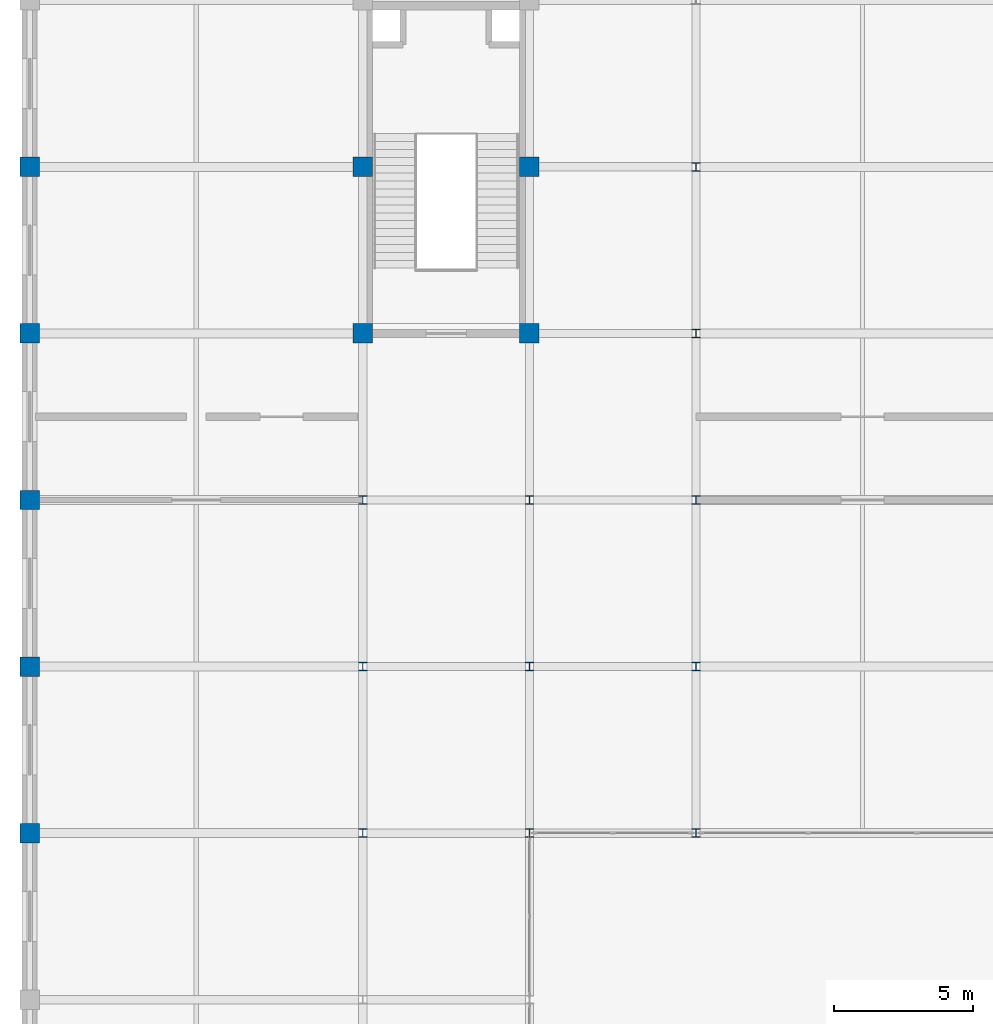
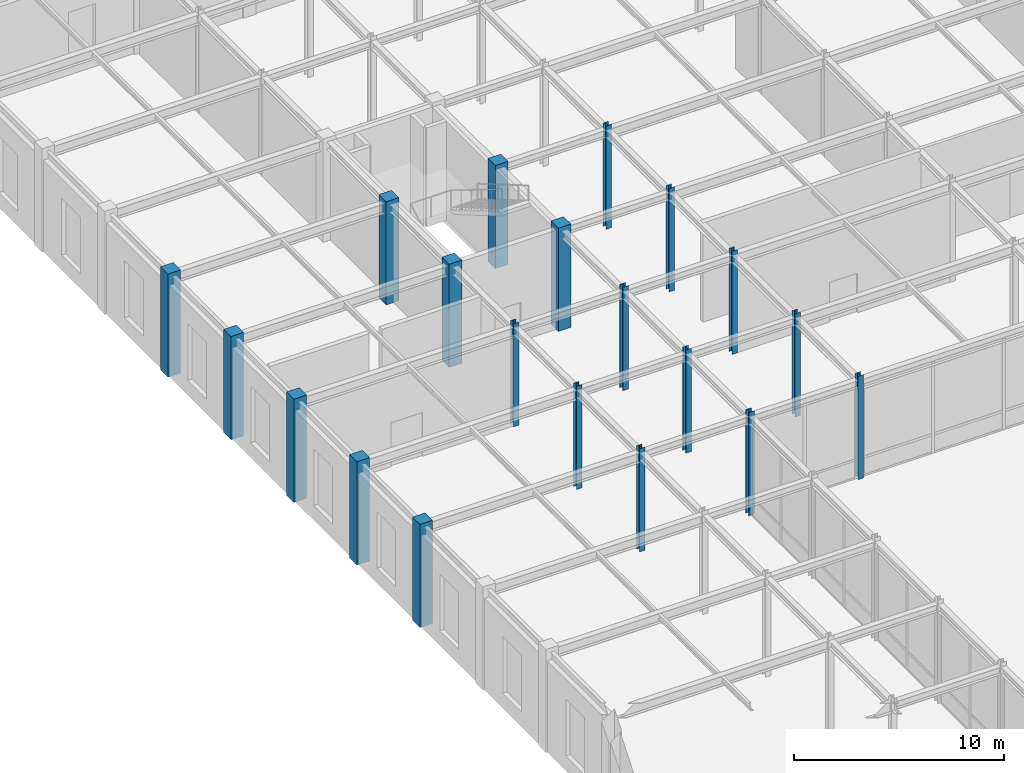
# One storey, part 13 of 108: 20 columns.
"""IFC4 building model written with IfcOpenShell, lengths in metres."""

from ifc_helpers import new_model, si_unit, direction, frame, origin, origin_2d, place, context, subcontext, project, spatial, rectangle, i_section, extrude, material, material_profile, profile_set, type_object, element, save


model = new_model("IFC4")

# Units and contexts
model_context = context("Model", 3, precision=1e-05, world=origin(), true_north=direction((0.0, 1.0)))
body_context = subcontext(model_context, "Body", "Model", "MODEL_VIEW")
ifc_project = project(units=[si_unit("LENGTHUNIT", "METRE"), si_unit("AREAUNIT", "SQUARE_METRE"), si_unit("VOLUMEUNIT", "CUBIC_METRE"), si_unit("PLANEANGLEUNIT", "RADIAN"), si_unit("MASSUNIT", "GRAM", prefix="KILO")], contexts=[model_context])

# Site, building, storey
site_placement = place(None, origin())
site = spatial("IfcSite", under=ifc_project, at=site_placement, CompositionType="ELEMENT")
building_placement = place(site_placement, origin())
building = spatial("IfcBuilding", under=site, at=building_placement, Name="Zlatovratsky Civic Hall", CompositionType="ELEMENT")
storey_placement = place(building_placement, frame((0.0, 0.0, 6.0)))
storey = spatial("IfcBuildingStorey", under=building, at=storey_placement, Name="L02", CompositionType="ELEMENT", Elevation=6.0)

# Columns
ifc_material_1 = material(Name="Concrete C35/45 (B40)", Category="concrete")
ifc_material_profile_1 = material_profile(ifc_material_1, rectangle(XDim=0.699951171875, YDim=0.699951171875, at=origin_2d()), Name="RC 700x700")
ifc_profile_set_1 = profile_set([ifc_material_profile_1], Name="Concrete C35/45 (B40)")
column_type_1 = type_object("IfcColumnType", Name="Col_CorePier_RC700", PredefinedType="COLUMN", material=ifc_profile_set_1)
for number, where, z_axis, x_axis, name in (
    (1, (0.0, 66.0, 0.0), (0.0, 0.0, 1.0), (1.0, 0.0, 0.0), "CL-0987"),
    (2, (0.0, 72.0, 0.0), (0.0, 0.0, 1.0), (1.0, 0.0, 0.0), "CL-1005"),
    (3, (0.0, 78.0, 0.0), (0.0, 0.0, 1.0), (1.0, 0.0, 0.0), "CL-1028"),
    (4, (0.0, 84.0, 0.0), (0.0, 0.0, 1.0), (1.0, 0.0, 0.0), "CL-1051"),
    (5, (12.0, 84.0, 0.0), (0.0, 0.0, 1.0), (1.0, 0.0, 0.0), "CL-1052"),
    (6, (18.0, 84.0, 0.0), (0.0, 0.0, 1.0), (1.0, 0.0, 0.0), "CL-1053"),
    (7, (0.0, 90.0, 0.0), (0.0, 0.0, 1.0), (1.0, 0.0, 0.0), "CL-1074"),
    (8, (12.0, 90.0, 0.0), (0.0, 0.0, 1.0), (1.0, 0.0, 0.0), "CL-1075"),
    (9, (18.0, 90.0, 0.0), (0.0, 0.0, 1.0), (1.0, 0.0, 0.0), "CL-1076"),
):
    element("IfcColumn", number, at=place(storey_placement, frame(where, z_axis=z_axis, x_axis=x_axis)), inside=storey, type_object=column_type_1, Name=name, PredefinedType="COLUMN", context=body_context, shape_type="SweptSolid", body=[
        extrude(rectangle(XDim=0.699951171875, YDim=0.699951171875, at=origin_2d()), origin(), (0.0, 0.0, 1.0), 6.0),
    ])
ifc_material_2 = material(Name="Steel S355", Category="steel")
ifc_material_profile_2 = material_profile(ifc_material_2, i_section(OverallWidth=0.300048828125, OverallDepth=0.300048828125, WebThickness=0.010009765625, FlangeThickness=0.014892578125, FilletRadius=0.01806640625, at=origin_2d()), Name="30K2")
ifc_profile_set_2 = profile_set([ifc_material_profile_2], Name="Steel S355")
column_type_2 = type_object("IfcColumnType", Name="Col_Steel_30K2", PredefinedType="COLUMN", material=ifc_profile_set_2)
for number, where, z_axis, x_axis, name in (
    (10, (12.0, 66.0, 0.0), (0.0, 0.0, 1.0), (1.0, 0.0, 0.0), "CL-0988"),
    (11, (18.0, 66.0, 0.0), (0.0, 0.0, 1.0), (1.0, 0.0, 0.0), "CL-0989"),
    (12, (24.0, 66.0, 0.0), (0.0, 0.0, 1.0), (1.0, 0.0, 0.0), "CL-0990"),
    (13, (12.0, 72.0, 0.0), (0.0, 0.0, 1.0), (1.0, 0.0, 0.0), "CL-1006"),
    (14, (18.0, 72.0, 0.0), (0.0, 0.0, 1.0), (1.0, 0.0, 0.0), "CL-1007"),
    (15, (24.0, 72.0, 0.0), (0.0, 0.0, 1.0), (1.0, 0.0, 0.0), "CL-1008"),
    (16, (12.0, 78.0, 0.0), (0.0, 0.0, 1.0), (1.0, 0.0, 0.0), "CL-1029"),
    (17, (18.0, 78.0, 0.0), (0.0, 0.0, 1.0), (1.0, 0.0, 0.0), "CL-1030"),
    (18, (24.0, 78.0, 0.0), (0.0, 0.0, 1.0), (1.0, 0.0, 0.0), "CL-1031"),
    (19, (24.0, 84.0, 0.0), (0.0, 0.0, 1.0), (1.0, 0.0, 0.0), "CL-1054"),
    (20, (24.0, 90.0, 0.0), (0.0, 0.0, 1.0), (1.0, 0.0, 0.0), "CL-1077"),
):
    element("IfcColumn", number, at=place(storey_placement, frame(where, z_axis=z_axis, x_axis=x_axis)), inside=storey, type_object=column_type_2, Name=name, PredefinedType="COLUMN", context=body_context, shape_type="SweptSolid", body=[
        extrude(i_section(OverallWidth=0.300048828125, OverallDepth=0.300048828125, WebThickness=0.010009765625, FlangeThickness=0.014892578125, FilletRadius=0.01806640625, at=origin_2d()), origin(), (0.0, 0.0, 1.0), 6.0),
    ])

save(model, "model.ifc")
